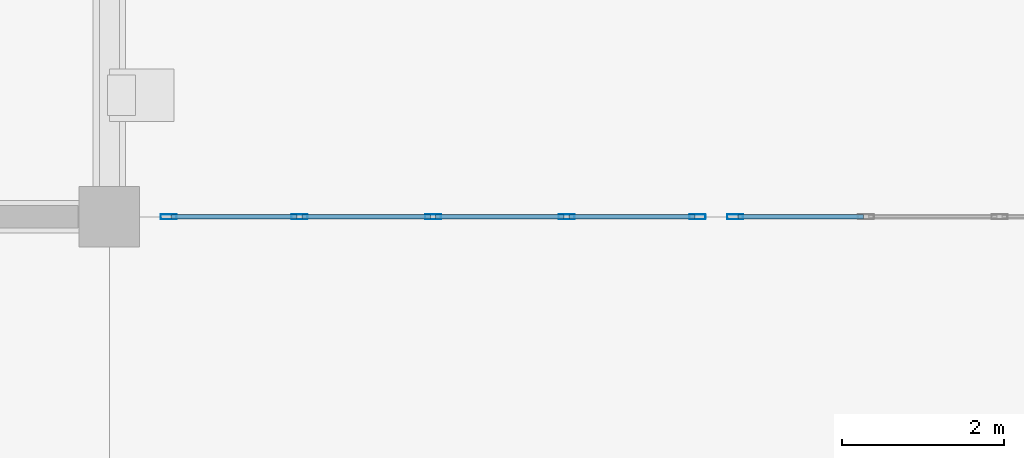
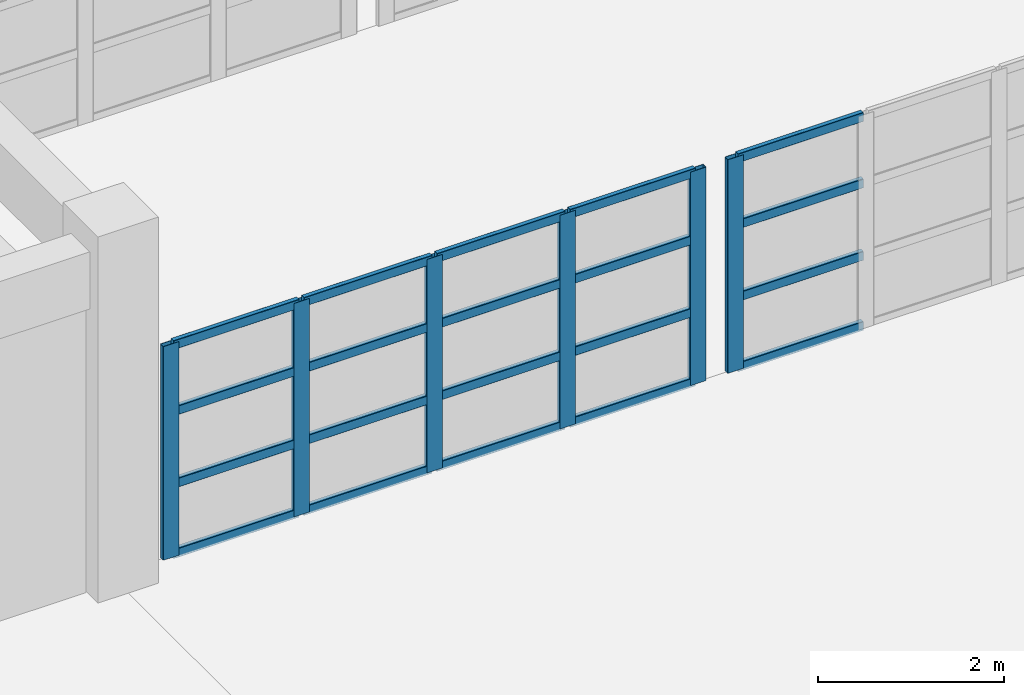
# One storey, part 34 of 122: 26 members, 2 elements without a shape of their own.
"""IFC4 building model written with IfcOpenShell, lengths in metres."""

from ifc_helpers import new_model, si_unit, direction, frame, origin, origin_2d, place, context, subcontext, project, spatial, hollow_rectangle, extrude, material, material_profile, profile_set, type_object, element, aggregate, save


model = new_model("IFC4")

# Units and contexts
model_context = context("Model", 3, precision=1e-05, world=origin(), true_north=direction((0.0, 1.0)))
body_context = subcontext(model_context, "Body", "Model", "MODEL_VIEW")
ifc_project = project(units=[si_unit("LENGTHUNIT", "METRE"), si_unit("AREAUNIT", "SQUARE_METRE"), si_unit("VOLUMEUNIT", "CUBIC_METRE"), si_unit("PLANEANGLEUNIT", "RADIAN"), si_unit("MASSUNIT", "GRAM", prefix="KILO")], contexts=[model_context])

# Site, building, storey
site_placement = place(None, origin())
site = spatial("IfcSite", under=ifc_project, at=site_placement, CompositionType="ELEMENT")
building_placement = place(site_placement, origin())
building = spatial("IfcBuilding", under=site, at=building_placement, Name="Qasida Concert Hall", CompositionType="ELEMENT")
storey_placement = place(building_placement, origin())
storey = spatial("IfcBuildingStorey", under=building, at=storey_placement, Name="L00", CompositionType="ELEMENT", Elevation=0.0)

# Curtain wall, members
ifc_material_1 = material(Name="Architectural bronze-anodized aluminium and low-E glass", Category="aluminium")
curtain_wall_type = type_object("IfcCurtainWallType", Name="CW-08", PredefinedType="NOTDEFINED", material=ifc_material_1)
curtain_wall_1_placement = place(storey_placement, origin())
curtain_wall_1 = element("IfcCurtainWall", 1, at=curtain_wall_1_placement, inside=storey, type_object=curtain_wall_type, Name="L00 link bridge glazing 0210", PredefinedType="NOTDEFINED")
ifc_material_2 = material(Name="Architectural bronze-anodized aluminium EN AW-6063", Category="aluminium")
ifc_material_profile_1 = material_profile(ifc_material_2, hollow_rectangle(XDim=0.06494140625, YDim=0.199951171875, WallThickness=0.0048828125, InnerFilletRadius=0.0048828125, OuterFilletRadius=0.010009765625, at=origin_2d()), Name="CWM 200x65x5")
ifc_profile_set_1 = profile_set([ifc_material_profile_1], Name="Architectural bronze-anodized aluminium EN AW-6063")
member_type_1 = type_object("IfcMemberType", Name="MB-CWM-2", PredefinedType="MULLION", material=ifc_profile_set_1)
member_1_placement = place(storey_placement, frame((38.232421875, 75.0, 0.0), z_axis=(0.0, 0.0, 1.0), x_axis=(0.0, 1.0, 0.0)))
member_1 = element("IfcMember", 2, at=member_1_placement, type_object=member_type_1, Name="CW-08 mullion 1", PredefinedType="MULLION", context=body_context, shape_type="SweptSolid", body=[
    extrude(hollow_rectangle(XDim=0.06494140625, YDim=0.199951171875, WallThickness=0.0048828125, InnerFilletRadius=0.0048828125, OuterFilletRadius=0.010009765625, at=origin_2d()), origin(), (0.0, 0.0, 1.0), 2.800048828125),
])
member_2_placement = place(storey_placement, frame((39.85009765625, 75.0, 0.0), z_axis=(0.0, 0.0, 1.0), x_axis=(0.0, 1.0, 0.0)))
member_2 = element("IfcMember", 3, at=member_2_placement, type_object=member_type_1, Name="CW-08 mullion 2", PredefinedType="MULLION", context=body_context, shape_type="SweptSolid", body=[
    extrude(hollow_rectangle(XDim=0.06494140625, YDim=0.199951171875, WallThickness=0.0048828125, InnerFilletRadius=0.0048828125, OuterFilletRadius=0.010009765625, at=origin_2d()), origin(), (0.0, 0.0, 1.0), 2.800048828125),
])
member_3_placement = place(storey_placement, frame((41.5, 75.0, 0.0), z_axis=(0.0, 0.0, 1.0), x_axis=(0.0, 1.0, 0.0)))
member_3 = element("IfcMember", 4, at=member_3_placement, type_object=member_type_1, Name="CW-08 mullion 3", PredefinedType="MULLION", context=body_context, shape_type="SweptSolid", body=[
    extrude(hollow_rectangle(XDim=0.06494140625, YDim=0.199951171875, WallThickness=0.0048828125, InnerFilletRadius=0.0048828125, OuterFilletRadius=0.010009765625, at=origin_2d()), origin(), (0.0, 0.0, 1.0), 2.800048828125),
])
member_4_placement = place(storey_placement, frame((43.14990234375, 75.0, 0.0), z_axis=(0.0, 0.0, 1.0), x_axis=(0.0, 1.0, 0.0)))
member_4 = element("IfcMember", 5, at=member_4_placement, type_object=member_type_1, Name="CW-08 mullion 4", PredefinedType="MULLION", context=body_context, shape_type="SweptSolid", body=[
    extrude(hollow_rectangle(XDim=0.06494140625, YDim=0.199951171875, WallThickness=0.0048828125, InnerFilletRadius=0.0048828125, OuterFilletRadius=0.010009765625, at=origin_2d()), origin(), (0.0, 0.0, 1.0), 2.800048828125),
])
member_5_placement = place(storey_placement, frame((44.767578125, 75.0, 0.0), z_axis=(0.0, 0.0, 1.0), x_axis=(0.0, 1.0, 0.0)))
member_5 = element("IfcMember", 6, at=member_5_placement, type_object=member_type_1, Name="CW-08 mullion 5", PredefinedType="MULLION", context=body_context, shape_type="SweptSolid", body=[
    extrude(hollow_rectangle(XDim=0.06494140625, YDim=0.199951171875, WallThickness=0.0048828125, InnerFilletRadius=0.0048828125, OuterFilletRadius=0.010009765625, at=origin_2d()), origin(), (0.0, 0.0, 1.0), 2.800048828125),
])

# Curtain wall, member
curtain_wall_2_placement = place(storey_placement, origin())
curtain_wall_2 = element("IfcCurtainWall", 7, at=curtain_wall_2_placement, inside=storey, type_object=curtain_wall_type, Name="L00 link bridge glazing 0212", PredefinedType="NOTDEFINED")
member_6_placement = place(storey_placement, frame((45.232421875, 75.0, 0.0), z_axis=(0.0, 0.0, 1.0), x_axis=(0.0, 1.0, 0.0)))
member_6 = element("IfcMember", 8, at=member_6_placement, type_object=member_type_1, Name="CW-08 mullion 1", PredefinedType="MULLION", context=body_context, shape_type="SweptSolid", body=[
    extrude(hollow_rectangle(XDim=0.06494140625, YDim=0.199951171875, WallThickness=0.0048828125, InnerFilletRadius=0.0048828125, OuterFilletRadius=0.010009765625, at=origin_2d()), origin(), (0.0, 0.0, 1.0), 2.800048828125),
])

# Member
ifc_material_profile_2 = material_profile(ifc_material_2, hollow_rectangle(XDim=0.06005859375, YDim=0.1201171875, WallThickness=0.00390625, InnerFilletRadius=0.00390625, OuterFilletRadius=0.008056640625, at=origin_2d()), Name="CWT 120x60x4")
ifc_profile_set_2 = profile_set([ifc_material_profile_2], Name="Architectural bronze-anodized aluminium EN AW-6063")
member_type_2 = type_object("IfcMemberType", Name="MB-CWT-2", PredefinedType="USERDEFINED", material=ifc_profile_set_2)
member_7_placement = place(storey_placement, frame((38.264892578125, 75.0, 0.030029296875), z_axis=(1.0, 0.0, 0.0), x_axis=(0.0, 1.0, 0.0)))
member_7 = element("IfcMember", 9, at=member_7_placement, type_object=member_type_2, Name="CW-08 transom 1.1", ObjectType="TRANSOM", PredefinedType="USERDEFINED", context=body_context, shape_type="SweptSolid", body=[
    extrude(hollow_rectangle(XDim=0.06005859375, YDim=0.1201171875, WallThickness=0.00390625, InnerFilletRadius=0.00390625, OuterFilletRadius=0.008056640625, at=origin_2d()), origin(), (0.0, 0.0, 1.0), 1.552490234375),
])

member_8_placement = place(storey_placement, frame((38.264892578125, 75.0, 0.949951171875), z_axis=(1.0, 0.0, 0.0), x_axis=(0.0, 1.0, 0.0)))
member_8 = element("IfcMember", 10, at=member_8_placement, type_object=member_type_2, Name="CW-08 transom 1.2", ObjectType="TRANSOM", PredefinedType="USERDEFINED", context=body_context, shape_type="SweptSolid", body=[
    extrude(hollow_rectangle(XDim=0.06005859375, YDim=0.1201171875, WallThickness=0.00390625, InnerFilletRadius=0.00390625, OuterFilletRadius=0.008056640625, at=origin_2d()), origin(), (0.0, 0.0, 1.0), 1.552490234375),
])

member_9_placement = place(storey_placement, frame((38.264892578125, 75.0, 1.89990234375), z_axis=(1.0, 0.0, 0.0), x_axis=(0.0, 1.0, 0.0)))
member_9 = element("IfcMember", 11, at=member_9_placement, type_object=member_type_2, Name="CW-08 transom 1.3", ObjectType="TRANSOM", PredefinedType="USERDEFINED", context=body_context, shape_type="SweptSolid", body=[
    extrude(hollow_rectangle(XDim=0.06005859375, YDim=0.1201171875, WallThickness=0.00390625, InnerFilletRadius=0.00390625, OuterFilletRadius=0.008056640625, at=origin_2d()), origin(), (0.0, 0.0, 1.0), 1.552490234375),
])

member_10_placement = place(storey_placement, frame((38.264892578125, 75.0, 2.77001953125), z_axis=(1.0, 0.0, 0.0), x_axis=(0.0, 1.0, 0.0)))
member_10 = element("IfcMember", 12, at=member_10_placement, type_object=member_type_2, Name="CW-08 transom 1.4", ObjectType="TRANSOM", PredefinedType="USERDEFINED", context=body_context, shape_type="SweptSolid", body=[
    extrude(hollow_rectangle(XDim=0.06005859375, YDim=0.1201171875, WallThickness=0.00390625, InnerFilletRadius=0.00390625, OuterFilletRadius=0.008056640625, at=origin_2d()), origin(), (0.0, 0.0, 1.0), 1.552490234375),
])

member_11_placement = place(storey_placement, frame((39.882568359375, 75.0, 0.030029296875), z_axis=(1.0, 0.0, 0.0), x_axis=(0.0, 1.0, 0.0)))
member_11 = element("IfcMember", 13, at=member_11_placement, type_object=member_type_2, Name="CW-08 transom 2.1", ObjectType="TRANSOM", PredefinedType="USERDEFINED", context=body_context, shape_type="SweptSolid", body=[
    extrude(hollow_rectangle(XDim=0.06005859375, YDim=0.1201171875, WallThickness=0.00390625, InnerFilletRadius=0.00390625, OuterFilletRadius=0.008056640625, at=origin_2d()), origin(), (0.0, 0.0, 1.0), 1.5849609375),
])

member_12_placement = place(storey_placement, frame((39.882568359375, 75.0, 0.949951171875), z_axis=(1.0, 0.0, 0.0), x_axis=(0.0, 1.0, 0.0)))
member_12 = element("IfcMember", 14, at=member_12_placement, type_object=member_type_2, Name="CW-08 transom 2.2", ObjectType="TRANSOM", PredefinedType="USERDEFINED", context=body_context, shape_type="SweptSolid", body=[
    extrude(hollow_rectangle(XDim=0.06005859375, YDim=0.1201171875, WallThickness=0.00390625, InnerFilletRadius=0.00390625, OuterFilletRadius=0.008056640625, at=origin_2d()), origin(), (0.0, 0.0, 1.0), 1.5849609375),
])

member_13_placement = place(storey_placement, frame((39.882568359375, 75.0, 1.89990234375), z_axis=(1.0, 0.0, 0.0), x_axis=(0.0, 1.0, 0.0)))
member_13 = element("IfcMember", 15, at=member_13_placement, type_object=member_type_2, Name="CW-08 transom 2.3", ObjectType="TRANSOM", PredefinedType="USERDEFINED", context=body_context, shape_type="SweptSolid", body=[
    extrude(hollow_rectangle(XDim=0.06005859375, YDim=0.1201171875, WallThickness=0.00390625, InnerFilletRadius=0.00390625, OuterFilletRadius=0.008056640625, at=origin_2d()), origin(), (0.0, 0.0, 1.0), 1.5849609375),
])

member_14_placement = place(storey_placement, frame((39.882568359375, 75.0, 2.77001953125), z_axis=(1.0, 0.0, 0.0), x_axis=(0.0, 1.0, 0.0)))
member_14 = element("IfcMember", 16, at=member_14_placement, type_object=member_type_2, Name="CW-08 transom 2.4", ObjectType="TRANSOM", PredefinedType="USERDEFINED", context=body_context, shape_type="SweptSolid", body=[
    extrude(hollow_rectangle(XDim=0.06005859375, YDim=0.1201171875, WallThickness=0.00390625, InnerFilletRadius=0.00390625, OuterFilletRadius=0.008056640625, at=origin_2d()), origin(), (0.0, 0.0, 1.0), 1.5849609375),
])

member_15_placement = place(storey_placement, frame((41.532470703125, 75.0, 0.030029296875), z_axis=(1.0, 0.0, 0.0), x_axis=(0.0, 1.0, 0.0)))
member_15 = element("IfcMember", 17, at=member_15_placement, type_object=member_type_2, Name="CW-08 transom 3.1", ObjectType="TRANSOM", PredefinedType="USERDEFINED", context=body_context, shape_type="SweptSolid", body=[
    extrude(hollow_rectangle(XDim=0.06005859375, YDim=0.1201171875, WallThickness=0.00390625, InnerFilletRadius=0.00390625, OuterFilletRadius=0.008056640625, at=origin_2d()), origin(), (0.0, 0.0, 1.0), 1.5849609375),
])

member_16_placement = place(storey_placement, frame((41.532470703125, 75.0, 0.949951171875), z_axis=(1.0, 0.0, 0.0), x_axis=(0.0, 1.0, 0.0)))
member_16 = element("IfcMember", 18, at=member_16_placement, type_object=member_type_2, Name="CW-08 transom 3.2", ObjectType="TRANSOM", PredefinedType="USERDEFINED", context=body_context, shape_type="SweptSolid", body=[
    extrude(hollow_rectangle(XDim=0.06005859375, YDim=0.1201171875, WallThickness=0.00390625, InnerFilletRadius=0.00390625, OuterFilletRadius=0.008056640625, at=origin_2d()), origin(), (0.0, 0.0, 1.0), 1.5849609375),
])

member_17_placement = place(storey_placement, frame((41.532470703125, 75.0, 1.89990234375), z_axis=(1.0, 0.0, 0.0), x_axis=(0.0, 1.0, 0.0)))
member_17 = element("IfcMember", 19, at=member_17_placement, type_object=member_type_2, Name="CW-08 transom 3.3", ObjectType="TRANSOM", PredefinedType="USERDEFINED", context=body_context, shape_type="SweptSolid", body=[
    extrude(hollow_rectangle(XDim=0.06005859375, YDim=0.1201171875, WallThickness=0.00390625, InnerFilletRadius=0.00390625, OuterFilletRadius=0.008056640625, at=origin_2d()), origin(), (0.0, 0.0, 1.0), 1.5849609375),
])

member_18_placement = place(storey_placement, frame((41.532470703125, 75.0, 2.77001953125), z_axis=(1.0, 0.0, 0.0), x_axis=(0.0, 1.0, 0.0)))
member_18 = element("IfcMember", 20, at=member_18_placement, type_object=member_type_2, Name="CW-08 transom 3.4", ObjectType="TRANSOM", PredefinedType="USERDEFINED", context=body_context, shape_type="SweptSolid", body=[
    extrude(hollow_rectangle(XDim=0.06005859375, YDim=0.1201171875, WallThickness=0.00390625, InnerFilletRadius=0.00390625, OuterFilletRadius=0.008056640625, at=origin_2d()), origin(), (0.0, 0.0, 1.0), 1.5849609375),
])

member_19_placement = place(storey_placement, frame((43.1826171875, 75.0, 0.030029296875), z_axis=(1.0, 0.0, 0.0), x_axis=(0.0, 1.0, 0.0)))
member_19 = element("IfcMember", 21, at=member_19_placement, type_object=member_type_2, Name="CW-08 transom 4.1", ObjectType="TRANSOM", PredefinedType="USERDEFINED", context=body_context, shape_type="SweptSolid", body=[
    extrude(hollow_rectangle(XDim=0.06005859375, YDim=0.1201171875, WallThickness=0.00390625, InnerFilletRadius=0.00390625, OuterFilletRadius=0.008056640625, at=origin_2d()), origin(), (0.0, 0.0, 1.0), 1.552490234375),
])

member_20_placement = place(storey_placement, frame((43.1826171875, 75.0, 0.949951171875), z_axis=(1.0, 0.0, 0.0), x_axis=(0.0, 1.0, 0.0)))
member_20 = element("IfcMember", 22, at=member_20_placement, type_object=member_type_2, Name="CW-08 transom 4.2", ObjectType="TRANSOM", PredefinedType="USERDEFINED", context=body_context, shape_type="SweptSolid", body=[
    extrude(hollow_rectangle(XDim=0.06005859375, YDim=0.1201171875, WallThickness=0.00390625, InnerFilletRadius=0.00390625, OuterFilletRadius=0.008056640625, at=origin_2d()), origin(), (0.0, 0.0, 1.0), 1.552490234375),
])

member_21_placement = place(storey_placement, frame((43.1826171875, 75.0, 1.89990234375), z_axis=(1.0, 0.0, 0.0), x_axis=(0.0, 1.0, 0.0)))
member_21 = element("IfcMember", 23, at=member_21_placement, type_object=member_type_2, Name="CW-08 transom 4.3", ObjectType="TRANSOM", PredefinedType="USERDEFINED", context=body_context, shape_type="SweptSolid", body=[
    extrude(hollow_rectangle(XDim=0.06005859375, YDim=0.1201171875, WallThickness=0.00390625, InnerFilletRadius=0.00390625, OuterFilletRadius=0.008056640625, at=origin_2d()), origin(), (0.0, 0.0, 1.0), 1.552490234375),
])

member_22_placement = place(storey_placement, frame((43.1826171875, 75.0, 2.77001953125), z_axis=(1.0, 0.0, 0.0), x_axis=(0.0, 1.0, 0.0)))
member_22 = element("IfcMember", 24, at=member_22_placement, type_object=member_type_2, Name="CW-08 transom 4.4", ObjectType="TRANSOM", PredefinedType="USERDEFINED", context=body_context, shape_type="SweptSolid", body=[
    extrude(hollow_rectangle(XDim=0.06005859375, YDim=0.1201171875, WallThickness=0.00390625, InnerFilletRadius=0.00390625, OuterFilletRadius=0.008056640625, at=origin_2d()), origin(), (0.0, 0.0, 1.0), 1.552490234375),
])

aggregate(curtain_wall_1, [member_1, member_2, member_3, member_4, member_5, member_7, member_8, member_9, member_10, member_11, member_12, member_13, member_14, member_15, member_16, member_17, member_18, member_19, member_20, member_21, member_22])

member_23_placement = place(storey_placement, frame((45.264892578125, 75.0, 0.030029296875), z_axis=(1.0, 0.0, 0.0), x_axis=(0.0, 1.0, 0.0)))
member_23 = element("IfcMember", 25, at=member_23_placement, type_object=member_type_2, Name="CW-08 transom 1.1", ObjectType="TRANSOM", PredefinedType="USERDEFINED", context=body_context, shape_type="SweptSolid", body=[
    extrude(hollow_rectangle(XDim=0.06005859375, YDim=0.1201171875, WallThickness=0.00390625, InnerFilletRadius=0.00390625, OuterFilletRadius=0.008056640625, at=origin_2d()), origin(), (0.0, 0.0, 1.0), 1.552490234375),
])

member_24_placement = place(storey_placement, frame((45.264892578125, 75.0, 0.949951171875), z_axis=(1.0, 0.0, 0.0), x_axis=(0.0, 1.0, 0.0)))
member_24 = element("IfcMember", 26, at=member_24_placement, type_object=member_type_2, Name="CW-08 transom 1.2", ObjectType="TRANSOM", PredefinedType="USERDEFINED", context=body_context, shape_type="SweptSolid", body=[
    extrude(hollow_rectangle(XDim=0.06005859375, YDim=0.1201171875, WallThickness=0.00390625, InnerFilletRadius=0.00390625, OuterFilletRadius=0.008056640625, at=origin_2d()), origin(), (0.0, 0.0, 1.0), 1.552490234375),
])

member_25_placement = place(storey_placement, frame((45.264892578125, 75.0, 1.89990234375), z_axis=(1.0, 0.0, 0.0), x_axis=(0.0, 1.0, 0.0)))
member_25 = element("IfcMember", 27, at=member_25_placement, type_object=member_type_2, Name="CW-08 transom 1.3", ObjectType="TRANSOM", PredefinedType="USERDEFINED", context=body_context, shape_type="SweptSolid", body=[
    extrude(hollow_rectangle(XDim=0.06005859375, YDim=0.1201171875, WallThickness=0.00390625, InnerFilletRadius=0.00390625, OuterFilletRadius=0.008056640625, at=origin_2d()), origin(), (0.0, 0.0, 1.0), 1.552490234375),
])

member_26_placement = place(storey_placement, frame((45.264892578125, 75.0, 2.77001953125), z_axis=(1.0, 0.0, 0.0), x_axis=(0.0, 1.0, 0.0)))
member_26 = element("IfcMember", 28, at=member_26_placement, type_object=member_type_2, Name="CW-08 transom 1.4", ObjectType="TRANSOM", PredefinedType="USERDEFINED", context=body_context, shape_type="SweptSolid", body=[
    extrude(hollow_rectangle(XDim=0.06005859375, YDim=0.1201171875, WallThickness=0.00390625, InnerFilletRadius=0.00390625, OuterFilletRadius=0.008056640625, at=origin_2d()), origin(), (0.0, 0.0, 1.0), 1.552490234375),
])

aggregate(curtain_wall_2, [member_6, member_23, member_24, member_25, member_26])

save(model, "model.ifc")
